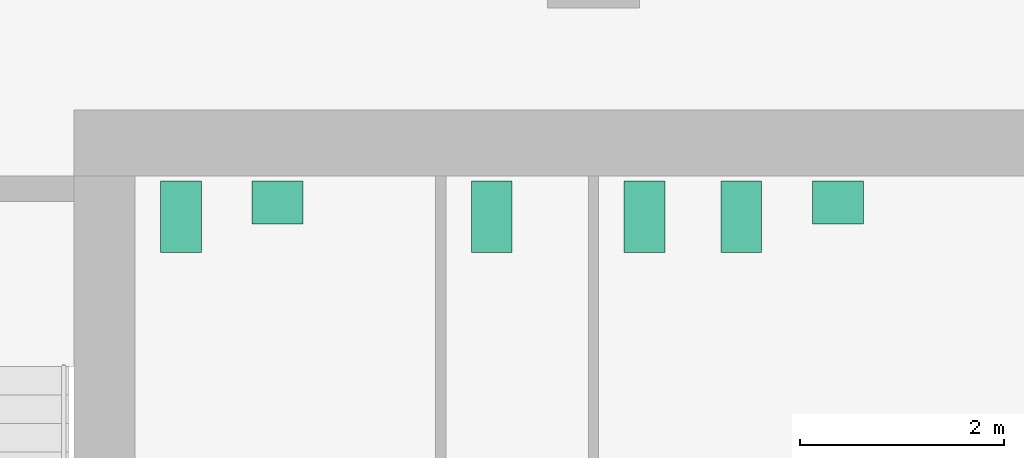
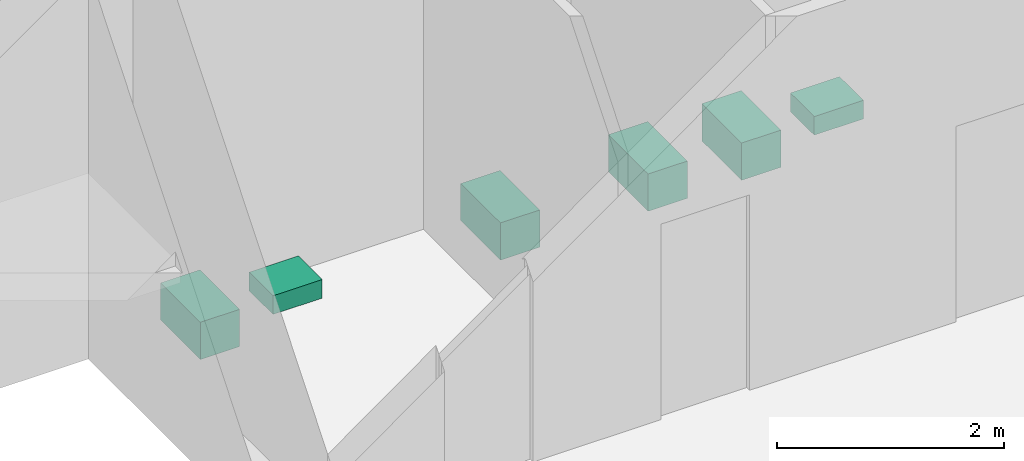
# One storey, part 7 of 7: 6 sanitary terminals.
"""IFC4 building model written with IfcOpenShell, lengths in metres."""

from ifc_helpers import new_model, si_unit, direction, frame, origin, origin_2d, place, context, subcontext, project, spatial, rectangle, extrude, material, type_object, element, save


model = new_model("IFC4")

# Units and contexts
model_context = context("Model", 3, precision=1e-05, world=origin(), true_north=direction((0.0, 1.0)))
body_context = subcontext(model_context, "Body", "Model", "MODEL_VIEW")
ifc_project = project(units=[si_unit("LENGTHUNIT", "METRE"), si_unit("AREAUNIT", "SQUARE_METRE"), si_unit("VOLUMEUNIT", "CUBIC_METRE"), si_unit("PLANEANGLEUNIT", "RADIAN"), si_unit("MASSUNIT", "GRAM", prefix="KILO")], contexts=[model_context])

# Site, building, storey
site_placement = place(None, origin())
site = spatial("IfcSite", under=ifc_project, at=site_placement, CompositionType="ELEMENT")
building_placement = place(site_placement, origin())
building = spatial("IfcBuilding", under=site, at=building_placement, Name="Cinnabar Reach Civic Tower", CompositionType="ELEMENT")
storey_placement = place(building_placement, frame((0.0, 0.0, 169.0)))
storey = spatial("IfcBuildingStorey", under=building, at=storey_placement, Name="L40", CompositionType="ELEMENT", Elevation=169.0)

# Sanitary terminals
ifc_material = material(Name="Vitreous china")
sanitary_terminal_type_1 = type_object("IfcSanitaryTerminalType", Name="T1 WC pan", PredefinedType="TOILETPAN", material=ifc_material)
for number, where, z_axis, x_axis, name in (
    (1, (4.95, 41.6, 0.0), (0.0, 0.0, 1.0), (1.0, 0.0, 0.0), "T1 WC pan 4009-1"),
    (2, (8.0, 41.6, 0.0), (0.0, 0.0, 1.0), (1.0, 0.0, 0.0), "T1 WC pan 4010-1"),
    (3, (9.5, 41.6, 0.0), (0.0, 0.0, 1.0), (1.0, 0.0, 0.0), "T1 WC pan 4011-1"),
    (4, (10.45, 41.6, 0.0), (0.0, 0.0, 1.0), (1.0, 0.0, 0.0), "T1 WC pan 4011-2"),
):
    element("IfcSanitaryTerminal", number, at=place(storey_placement, frame(where, z_axis=z_axis, x_axis=x_axis)), inside=storey, type_object=sanitary_terminal_type_1, Name=name, PredefinedType="TOILETPAN", context=body_context, shape_type="SweptSolid", body=[
        extrude(rectangle(XDim=0.4, YDim=0.7, at=origin_2d()), origin(), (0.0, 0.0, 1.0), 0.4),
    ])
sanitary_terminal_type_2 = type_object("IfcSanitaryTerminalType", Name="T1 wash basin", PredefinedType="WASHHANDBASIN", material=ifc_material)
for number, where, z_axis, x_axis, name in (
    (5, (5.9, 41.74, 0.0), (0.0, 0.0, 1.0), (1.0, 0.0, 0.0), "T1 wash basin 4009-2"),
    (6, (11.4, 41.74, 0.0), (0.0, 0.0, 1.0), (1.0, 0.0, 0.0), "T1 wash basin 4011-3"),
):
    element("IfcSanitaryTerminal", number, at=place(storey_placement, frame(where, z_axis=z_axis, x_axis=x_axis)), inside=storey, type_object=sanitary_terminal_type_2, Name=name, PredefinedType="WASHHANDBASIN", context=body_context, shape_type="SweptSolid", body=[
        extrude(rectangle(XDim=0.5, YDim=0.42, at=origin_2d()), origin(), (0.0, 0.0, 1.0), 0.2),
    ])

save(model, "model.ifc")
